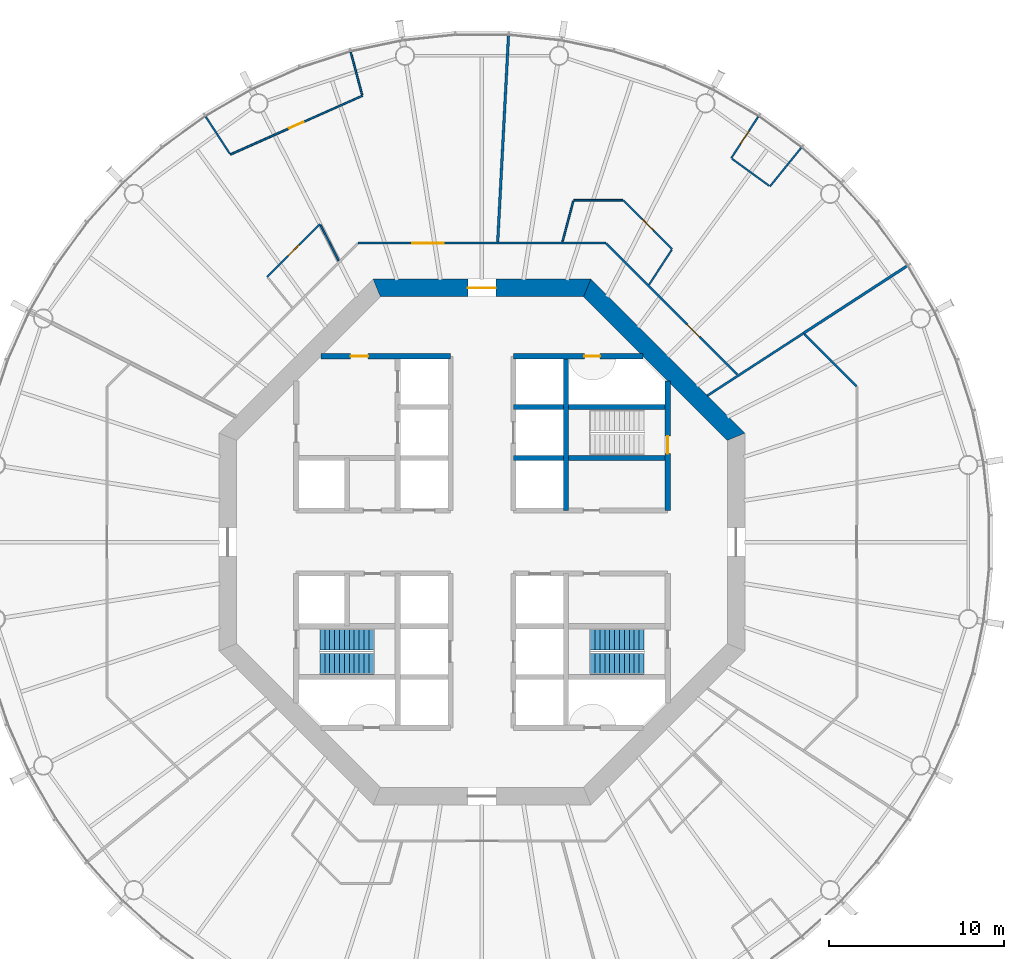
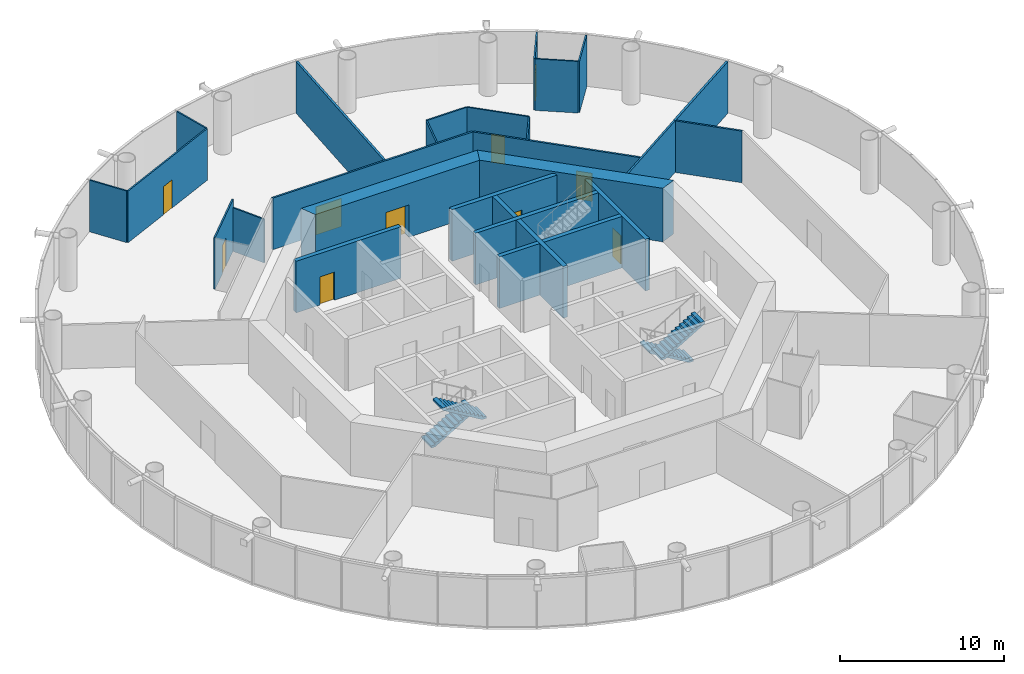
# One storey, part 5 of 17: 26 walls, 10 doors, 4 stair flights, 10 openings, 2 elements without a shape of their own.
"""IFC4 building model written with IfcOpenShell, lengths in metres."""

from ifc_helpers import new_model, si_unit, direction, frame, frame_2d, origin, place, context, subcontext, project, spatial, polyline, rectangle, outline, extrude, material, layer, layer_set, type_object, element, fill, aggregate, save


model = new_model("IFC4")

# Units and contexts
model_context = context("Model", 3, precision=1e-05, world=origin(), true_north=direction((0.0, 1.0)))
body_context = subcontext(model_context, "Body", "Model", "MODEL_VIEW")
ifc_project = project(units=[si_unit("LENGTHUNIT", "METRE"), si_unit("AREAUNIT", "SQUARE_METRE"), si_unit("VOLUMEUNIT", "CUBIC_METRE"), si_unit("PLANEANGLEUNIT", "RADIAN"), si_unit("MASSUNIT", "GRAM", prefix="KILO")], contexts=[model_context])

# Site, building, storey
site_placement = place(None, origin())
site = spatial("IfcSite", under=ifc_project, at=site_placement, CompositionType="ELEMENT")
building_placement = place(site_placement, origin())
building = spatial("IfcBuilding", under=site, at=building_placement, Name="Entoto Ring Tower", CompositionType="ELEMENT")
storey_placement = place(building_placement, frame((0.0, 0.0, 176.0)))
storey = spatial("IfcBuildingStorey", under=building, at=storey_placement, Name="L40", CompositionType="ELEMENT", Elevation=176.0)

# Wall, opening, door
ifc_material_1 = material(Name="Concrete C40/50", Category="concrete")
ifc_layer_1 = layer(ifc_material_1, 0.300048828125)
ifc_layer_set_1 = layer_set([ifc_layer_1], Name="Concrete C40/50")
wall_type_1 = type_object("IfcWallType", Name="Core enclosure wall 300 mm reinforced concrete", PredefinedType="SOLIDWALL", material=ifc_layer_set_1)
wall_1_placement = place(storey_placement, frame((100.60009765625, 81.800048828125, 0.0), z_axis=(0.0, 0.0, 1.0), x_axis=(0.0, 1.0, 0.0)))
wall_1 = element("IfcWall", 1, at=wall_1_placement, inside=storey, type_object=wall_type_1, Name="wall-L40-002", PredefinedType="SOLIDWALL", context=body_context, shape_type="SweptSolid", body=[
    extrude(rectangle(XDim=7.39892578125, YDim=0.300048828125, at=frame_2d((3.699462890625, 0.0))), origin(), (0.0, 0.0, 1.0), 3.85009765625),
])
opening_1_placement = place(wall_1_placement, frame((3.25, 0.0, 0.0)))
opening_1 = element("IfcOpeningElement", 2, at=opening_1_placement, cuts=wall_1, Name="Opening K-52", PredefinedType="OPENING", context=body_context, shape_type="SweptSolid", body=[
    extrude(rectangle(XDim=1.0, YDim=2.10009765625, at=frame_2d((0.5, 1.050048828125))), frame((0.0, 0.16015625, 0.0), z_axis=(0.0, -1.0, 0.0), x_axis=(1.0, 0.0, 0.0)), (0.0, 0.0, 1.0), 0.320068359375),
])
ifc_material_2 = material(Name="Steel door leaf, fire rated", Category="steel")
ifc_layer_2 = layer(ifc_material_2, 0.050048828125)
ifc_layer_set_2 = layer_set([ifc_layer_2], Name="Steel door leaf, fire rated")
door_type_1 = type_object("IfcDoorType", Name="Fire door FD60 1000 x 2100 single leaf", OperationType="NOTDEFINED", PredefinedType="DOOR", material=ifc_layer_set_2)
door_1_placement = place(opening_1_placement, origin())
door_1 = element("IfcDoor", 3, at=door_1_placement, inside=storey, type_object=door_type_1, Name="Door K-52", OperationType="SINGLE_SWING_LEFT", OverallHeight=2.10009765625, OverallWidth=1.0, PredefinedType="DOOR", context=body_context, shape_type="SweptSolid", body=[
    extrude(rectangle(XDim=1.0, YDim=2.10009765625, at=frame_2d((0.5, 1.050048828125))), frame((0.0, 0.02490234375, 0.0), z_axis=(0.0, -1.0, 0.0), x_axis=(1.0, 0.0, 0.0)), (0.0, 0.0, 1.0), 0.050048828125),
])
fill(opening_1, door_1)

# Walls
for number, where, z_axis, x_axis, name in (
    (4, (94.800048828125, 81.800048828125, 0.0), (0.0, 0.0, 1.0), (0.0, 1.0, 0.0), "wall-L40-004"),
    (5, (91.800048828125, 84.800048828125, 0.0), (0.0, 0.0, 1.0), (1.0, 0.0, 0.0), "wall-L40-026"),
    (6, (91.800048828125, 87.699951171875, 0.0), (0.0, 0.0, 1.0), (1.0, 0.0, 0.0), "wall-L40-028"),
):
    element("IfcWall", number, at=place(storey_placement, frame(where, z_axis=z_axis, x_axis=x_axis)), inside=storey, type_object=wall_type_1, Name=name, PredefinedType="SOLIDWALL", context=body_context, shape_type="SweptSolid", body=[
        extrude(rectangle(XDim=8.800048828125, YDim=0.300048828125, at=frame_2d((4.39990234375, 0.0))), origin(), (0.0, 0.0, 1.0), 3.85009765625),
    ])

# Wall, opening, door
wall_2_placement = place(storey_placement, frame((80.801025390625, 90.60009765625, 0.0), z_axis=(0.0, 0.0, 1.0), x_axis=(1.0, 0.0, 0.0)))
wall_2 = element("IfcWall", 7, at=wall_2_placement, inside=storey, type_object=wall_type_1, Name="wall-L40-029", PredefinedType="SOLIDWALL", context=body_context, shape_type="SweptSolid", body=[
    extrude(rectangle(XDim=7.39892578125, YDim=0.300048828125, at=frame_2d((3.699462890625, 0.0))), origin(), (0.0, 0.0, 1.0), 3.85009765625),
])
opening_2_placement = place(wall_2_placement, frame((1.698974609375, 0.0, 0.0)))
opening_2 = element("IfcOpeningElement", 8, at=opening_2_placement, cuts=wall_2, Name="Opening K-22", PredefinedType="OPENING", context=body_context, shape_type="SweptSolid", body=[
    extrude(rectangle(XDim=1.0, YDim=2.10009765625, at=frame_2d((0.5, 1.050048828125))), frame((0.0, 0.16015625, 0.0), z_axis=(0.0, -1.0, 0.0), x_axis=(1.0, 0.0, 0.0)), (0.0, 0.0, 1.0), 0.320068359375),
])
door_2_placement = place(opening_2_placement, frame((1.0, 0.0, 0.0), z_axis=(0.0, 0.0, 1.0), x_axis=(-1.0, 0.0, 0.0)))
door_2 = element("IfcDoor", 9, at=door_2_placement, inside=storey, type_object=door_type_1, Name="Door K-22", OperationType="SINGLE_SWING_LEFT", OverallHeight=2.10009765625, OverallWidth=1.0, PredefinedType="DOOR", context=body_context, shape_type="SweptSolid", body=[
    extrude(rectangle(XDim=1.0, YDim=2.10009765625, at=frame_2d((0.5, 1.050048828125))), frame((0.0, 0.02490234375, 0.0), z_axis=(0.0, -1.0, 0.0), x_axis=(1.0, 0.0, 0.0)), (0.0, 0.0, 1.0), 0.050048828125),
])
fill(opening_2, door_2)

wall_3_placement = place(storey_placement, frame((91.800048828125, 90.60009765625, 0.0), z_axis=(0.0, 0.0, 1.0), x_axis=(1.0, 0.0, 0.0)))
wall_3 = element("IfcWall", 10, at=wall_3_placement, inside=storey, type_object=wall_type_1, Name="wall-L40-030", PredefinedType="SOLIDWALL", context=body_context, shape_type="SweptSolid", body=[
    extrude(rectangle(XDim=7.39892578125, YDim=0.300048828125, at=frame_2d((3.699462890625, 0.0))), origin(), (0.0, 0.0, 1.0), 3.85009765625),
])
opening_3_placement = place(wall_3_placement, frame((4.050048828125, 0.0, 0.0)))
opening_3 = element("IfcOpeningElement", 11, at=opening_3_placement, cuts=wall_3, Name="Opening K-60", PredefinedType="OPENING", context=body_context, shape_type="SweptSolid", body=[
    extrude(rectangle(XDim=0.89990234375, YDim=2.10009765625, at=frame_2d((0.449951171875, 1.050048828125))), frame((0.0, 0.16015625, 0.0), z_axis=(0.0, -1.0, 0.0), x_axis=(1.0, 0.0, 0.0)), (0.0, 0.0, 1.0), 0.320068359375),
])
ifc_material_3 = material(Name="Steel door leaf, fire rated", Category="steel")
ifc_layer_3 = layer(ifc_material_3, 0.050048828125)
ifc_layer_set_3 = layer_set([ifc_layer_3], Name="Steel door leaf, fire rated")
door_type_2 = type_object("IfcDoorType", Name="Riser door FD60 900 x 2100 single leaf", OperationType="NOTDEFINED", PredefinedType="DOOR", material=ifc_layer_set_3)
door_3_placement = place(opening_3_placement, frame((0.89990234375, 0.0, 0.0), z_axis=(0.0, 0.0, 1.0), x_axis=(-1.0, 0.0, 0.0)))
door_3 = element("IfcDoor", 12, at=door_3_placement, inside=storey, type_object=door_type_2, Name="Door K-60", OperationType="SINGLE_SWING_RIGHT", OverallHeight=2.10009765625, OverallWidth=0.89990234375, PredefinedType="DOOR", context=body_context, shape_type="SweptSolid", body=[
    extrude(rectangle(XDim=0.89990234375, YDim=2.10009765625, at=frame_2d((0.449951171875, 1.050048828125))), frame((0.0, 0.02490234375, 0.0), z_axis=(0.0, -1.0, 0.0), x_axis=(1.0, 0.0, 0.0)), (0.0, 0.0, 1.0), 0.050048828125),
])
fill(opening_3, door_3)

# Wall
ifc_material_4 = material(Name="Concrete C50/60", Category="concrete")
ifc_layer_4 = layer(ifc_material_4, 1.0)
ifc_layer_set_4 = layer_set([ifc_layer_4], Name="Concrete C50/60")
wall_type_2 = type_object("IfcWallType", Name="Core shear wall 1000 mm reinforced concrete C50/60", PredefinedType="SHEAR", material=ifc_layer_set_4)
wall_4_placement = place(storey_placement, frame((104.5, 86.006103515625, 0.0), z_axis=(0.0, 0.0, 1.0), x_axis=(-0.707106781187, 0.707106781187, 0.0)))
element("IfcWall", 13, at=wall_4_placement, inside=storey, type_object=wall_type_2, Name="wall-L40-core-1", PredefinedType="SHEAR", context=body_context, shape_type="SweptSolid", body=[
    extrude(outline(polyline([(-0.20703125, -0.5), (12.21923828125, -0.5), (11.80517578125, 0.5), (0.20703125, 0.5), (-0.20703125, -0.5)])), origin(), (0.0, 0.0, 1.0), 4.0),
])

# Wall, opening, door
wall_5_placement = place(storey_placement, frame((96.006103515625, 94.5, 0.0), z_axis=(0.0, 0.0, 1.0), x_axis=(-1.0, 0.0, 0.0)))
wall_5 = element("IfcWall", 14, at=wall_5_placement, inside=storey, type_object=wall_type_2, Name="wall-L40-core-2", PredefinedType="SHEAR", context=body_context, shape_type="SweptSolid", body=[
    extrude(outline(polyline([(-0.20703125, -0.5), (12.21923828125, -0.5), (11.80517578125, 0.5), (0.20703125, 0.5), (-0.20703125, -0.5)])), origin(), (0.0, 0.0, 1.0), 4.0),
])
opening_4_placement = place(wall_5_placement, frame((5.2060546875, 0.0, 0.0)))
opening_4 = element("IfcOpeningElement", 15, at=opening_4_placement, cuts=wall_5, Name="Opening K-02", PredefinedType="OPENING", context=body_context, shape_type="SweptSolid", body=[
    extrude(rectangle(XDim=1.60009765625, YDim=2.39990234375, at=frame_2d((0.800048828125, 1.199951171875))), frame((0.0, 0.510009765625, 0.0), z_axis=(0.0, -1.0, 0.0), x_axis=(1.0, 0.0, 0.0)), (0.0, 0.0, 1.0), 1.02001953125),
])
ifc_material_5 = material(Name="Steel door leaf, fire rated", Category="steel")
ifc_layer_5 = layer(ifc_material_5, 0.050048828125)
ifc_layer_set_5 = layer_set([ifc_layer_5], Name="Steel door leaf, fire rated")
door_type_3 = type_object("IfcDoorType", Name="Entrance door FD60 1600 x 2400 double leaf", OperationType="DOUBLE_DOOR_SINGLE_SWING", PredefinedType="DOOR", material=ifc_layer_set_5)
door_4_placement = place(opening_4_placement, origin())
door_4 = element("IfcDoor", 16, at=door_4_placement, inside=storey, type_object=door_type_3, Name="Entrance door K-02", OperationType="DOUBLE_DOOR_SINGLE_SWING", OverallHeight=2.39990234375, OverallWidth=1.60009765625, PredefinedType="DOOR", context=body_context, shape_type="SweptSolid", body=[
    extrude(rectangle(XDim=1.60009765625, YDim=2.39990234375, at=frame_2d((0.800048828125, 1.199951171875))), frame((0.0, 0.02490234375, 0.0), z_axis=(0.0, -1.0, 0.0), x_axis=(1.0, 0.0, 0.0)), (0.0, 0.0, 1.0), 0.050048828125),
])
fill(opening_4, door_4)

ifc_material_6 = material(Name="Fire-resisting plasterboard on steel studs", Category="steel")
ifc_layer_6 = layer(ifc_material_6, 0.125)
ifc_layer_set_6 = layer_set([ifc_layer_6], Name="Fire-resisting plasterboard on steel studs")
wall_type_3 = type_object("IfcWallType", Name="Corridor wall 125 mm one-hour plasterboard on steel studs", PredefinedType="PARTITIONING", material=ifc_layer_set_6)
wall_6_placement = place(storey_placement, frame((82.9326171875, 97.0625, 0.0), z_axis=(0.0, 0.0, 1.0), x_axis=(1.0, 0.0, 0.0)))
wall_6 = element("IfcWall", 17, at=wall_6_placement, inside=storey, type_object=wall_type_3, Name="partition-L40-004", PredefinedType="PARTITIONING", context=body_context, shape_type="SweptSolid", body=[
    extrude(rectangle(XDim=14.134765625, YDim=0.125, at=frame_2d((7.0673828125, 0.0))), origin(), (0.0, 0.0, 1.0), 3.85009765625),
])
opening_5_placement = place(wall_6_placement, frame((3.080810546875, 0.0, 0.0)))
opening_5 = element("IfcOpeningElement", 18, at=opening_5_placement, cuts=wall_6, Name="Opening A17-D06", PredefinedType="OPENING", context=body_context, shape_type="SweptSolid", body=[
    extrude(rectangle(XDim=1.800048828125, YDim=2.10009765625, at=frame_2d((0.89990234375, 1.050048828125))), frame((0.0, 0.072509765625, 0.0), z_axis=(0.0, -1.0, 0.0), x_axis=(1.0, 0.0, 0.0)), (0.0, 0.0, 1.0), 0.14501953125),
])
ifc_material_7 = material(Name="Fire-resisting timber door set", Category="wood")
door_type_4 = type_object("IfcDoorType", Name="Door 1800 x 2100 double leaf FD30S fire door", OperationType="DOUBLE_DOOR_SINGLE_SWING", PredefinedType="DOOR", material=ifc_material_7)
door_5_placement = place(opening_5_placement, origin())
door_5 = element("IfcDoor", 19, at=door_5_placement, inside=storey, type_object=door_type_4, Name="Door A17-D06", OperationType="DOUBLE_DOOR_SINGLE_SWING", OverallHeight=2.10009765625, OverallWidth=1.800048828125, PredefinedType="DOOR", context=body_context, shape_type="SweptSolid", body=[
    extrude(rectangle(XDim=1.800048828125, YDim=2.10009765625, at=frame_2d((0.89990234375, 1.050048828125))), frame((0.0, 0.02490234375, 0.0), z_axis=(0.0, -1.0, 0.0), x_axis=(1.0, 0.0, 0.0)), (0.0, 0.0, 1.0), 0.050048828125),
])
fill(opening_5, door_5)

wall_7_placement = place(storey_placement, frame((104.574951171875, 89.554931640625, 0.0), z_axis=(0.0, 0.0, 1.0), x_axis=(-0.707095235926, 0.707118326258, 0.0)))
wall_7 = element("IfcWall", 20, at=wall_7_placement, inside=storey, type_object=wall_type_3, Name="partition-L40-007", PredefinedType="PARTITIONING", context=body_context, shape_type="SweptSolid", body=[
    extrude(rectangle(XDim=10.5732421875, YDim=0.125, at=frame_2d((5.28662109375, 0.0))), origin(), (0.0, 0.0, 1.0), 3.85009765625),
])
opening_6_placement = place(wall_7_placement, frame((3.0498046875, 0.0, 0.0)))
opening_6 = element("IfcOpeningElement", 21, at=opening_6_placement, cuts=wall_7, Name="Opening A17-D03", PredefinedType="OPENING", context=body_context, shape_type="SweptSolid", body=[
    extrude(rectangle(XDim=1.0, YDim=2.10009765625, at=frame_2d((0.5, 1.050048828125))), frame((0.0, 0.072509765625, 0.0), z_axis=(0.0, -1.0, 0.0), x_axis=(1.0, 0.0, 0.0)), (0.0, 0.0, 1.0), 0.14501953125),
])
ifc_material_8 = material(Name="Fire-resisting timber door set", Category="wood")
door_type_5 = type_object("IfcDoorType", Name="Door 1000 x 2100 single leaf FD30S fire door", OperationType="NOTDEFINED", PredefinedType="DOOR", material=ifc_material_8)
door_6_placement = place(opening_6_placement, frame((1.0, 0.0, 0.0), z_axis=(0.0, 0.0, 1.0), x_axis=(-1.0, 0.0, 0.0)))
door_6 = element("IfcDoor", 22, at=door_6_placement, inside=storey, type_object=door_type_5, Name="Door A17-D03", OperationType="SINGLE_SWING_LEFT", OverallHeight=2.10009765625, OverallWidth=1.0, PredefinedType="DOOR", context=body_context, shape_type="SweptSolid", body=[
    extrude(rectangle(XDim=1.0, YDim=2.10009765625, at=frame_2d((0.5, 1.050048828125))), frame((0.0, 0.02490234375, 0.0), z_axis=(0.0, -1.0, 0.0), x_axis=(1.0, 0.0, 0.0)), (0.0, 0.0, 1.0), 0.050048828125),
])
fill(opening_6, door_6)

# Walls
wall_8_placement = place(storey_placement, frame((102.861083984375, 88.35205078125, 0.0), z_axis=(0.0, 0.0, 1.0), x_axis=(0.838666042477, 0.544646003561, 0.0)))
element("IfcWall", 23, at=wall_8_placement, inside=storey, type_object=wall_type_3, Name="partition-L40-011", PredefinedType="PARTITIONING", context=body_context, shape_type="SweptSolid", body=[
    extrude(rectangle(XDim=6.543212890625, YDim=0.125, at=frame_2d((3.271484375, 0.0))), origin(), (0.0, 0.0, 1.0), 3.85009765625),
])
wall_9_placement = place(storey_placement, frame((111.368896484375, 88.895263671875, 0.0), z_axis=(0.0, 0.0, 1.0), x_axis=(-0.707106781187, 0.707106781187, 0.0)))
element("IfcWall", 24, at=wall_9_placement, inside=storey, type_object=wall_type_3, Name="partition-L40-015", PredefinedType="PARTITIONING", context=body_context, shape_type="SweptSolid", body=[
    extrude(rectangle(XDim=4.181640625, YDim=0.125, at=frame_2d((2.0908203125, 0.0))), origin(), (0.0, 0.0, 1.0), 3.85009765625),
])

# Wall, opening, door
ifc_material_9 = material(Name="Plasterboard on steel studs", Category="steel")
ifc_layer_7 = layer(ifc_material_9, 0.10009765625)
ifc_layer_set_7 = layer_set([ifc_layer_7], Name="Plasterboard on steel studs")
wall_type_4 = type_object("IfcWallType", Name="Partition 100 mm plasterboard on steel studs", PredefinedType="PARTITIONING", material=ifc_layer_set_7)
wall_10_placement = place(storey_placement, frame((75.637939453125, 102.11572265625, 0.0), z_axis=(0.0, 0.0, 1.0), x_axis=(0.913541661289, 0.40674516972, 0.0)))
wall_10 = element("IfcWall", 25, at=wall_10_placement, inside=storey, type_object=wall_type_4, Name="partition-L40-023", PredefinedType="PARTITIONING", context=body_context, shape_type="SweptSolid", body=[
    extrude(rectangle(XDim=8.250244140625, YDim=0.10009765625, at=frame_2d((4.125, 0.0))), origin(), (0.0, 0.0, 1.0), 3.85009765625),
])
opening_7_placement = place(wall_10_placement, frame((3.67529296875, 0.0, 0.0)))
opening_7 = element("IfcOpeningElement", 26, at=opening_7_placement, cuts=wall_10, Name="Opening A17-D08", PredefinedType="OPENING", context=body_context, shape_type="SweptSolid", body=[
    extrude(rectangle(XDim=0.89990234375, YDim=2.10009765625, at=frame_2d((0.449951171875, 1.050048828125))), frame((0.0, 0.06005859375, 0.0), z_axis=(0.0, -1.0, 0.0), x_axis=(1.0, 0.0, 0.0)), (0.0, 0.0, 1.0), 0.1201171875),
])
ifc_material_10 = material(Name="Veneered timber door leaf in timber frame", Category="wood")
door_type_6 = type_object("IfcDoorType", Name="Door 900 x 2100 single leaf timber veneer", OperationType="NOTDEFINED", PredefinedType="DOOR", material=ifc_material_10)
door_7_placement = place(opening_7_placement, origin())
door_7 = element("IfcDoor", 27, at=door_7_placement, inside=storey, type_object=door_type_6, Name="Door A17-D08", OperationType="SINGLE_SWING_RIGHT", OverallHeight=2.10009765625, OverallWidth=0.89990234375, PredefinedType="DOOR", context=body_context, shape_type="SweptSolid", body=[
    extrude(rectangle(XDim=0.89990234375, YDim=2.10009765625, at=frame_2d((0.449951171875, 1.050048828125))), frame((0.0, 0.02490234375, 0.0), z_axis=(0.0, -1.0, 0.0), x_axis=(1.0, 0.0, 0.0)), (0.0, 0.0, 1.0), 0.050048828125),
])
fill(opening_7, door_7)

wall_11_placement = place(storey_placement, frame((77.7412109375, 95.13818359375, 0.0), z_axis=(0.0, 0.0, 1.0), x_axis=(0.707106781187, 0.707106781187, 0.0)))
wall_11 = element("IfcWall", 28, at=wall_11_placement, inside=storey, type_object=wall_type_4, Name="partition-L40-024", PredefinedType="PARTITIONING", context=body_context, shape_type="SweptSolid", body=[
    extrude(rectangle(XDim=4.258544921875, YDim=0.10009765625, at=frame_2d((2.12939453125, 0.0))), origin(), (0.0, 0.0, 1.0), 3.85009765625),
])
opening_8_placement = place(wall_11_placement, frame((1.67919921875, 0.0, 0.0)))
opening_8 = element("IfcOpeningElement", 29, at=opening_8_placement, cuts=wall_11, Name="Opening A17-D07", PredefinedType="OPENING", context=body_context, shape_type="SweptSolid", body=[
    extrude(rectangle(XDim=0.89990234375, YDim=2.10009765625, at=frame_2d((0.449951171875, 1.050048828125))), frame((0.0, 0.06005859375, 0.0), z_axis=(0.0, -1.0, 0.0), x_axis=(1.0, 0.0, 0.0)), (0.0, 0.0, 1.0), 0.1201171875),
])
door_8_placement = place(opening_8_placement, frame((0.89990234375, 0.0, 0.0), z_axis=(0.0, 0.0, 1.0), x_axis=(-1.0, 0.0, 0.0)))
door_8 = element("IfcDoor", 30, at=door_8_placement, inside=storey, type_object=door_type_6, Name="Door A17-D07", OperationType="SINGLE_SWING_LEFT", OverallHeight=2.10009765625, OverallWidth=0.89990234375, PredefinedType="DOOR", context=body_context, shape_type="SweptSolid", body=[
    extrude(rectangle(XDim=0.89990234375, YDim=2.10009765625, at=frame_2d((0.449951171875, 1.050048828125))), frame((0.0, 0.02490234375, 0.0), z_axis=(0.0, -1.0, 0.0), x_axis=(1.0, 0.0, 0.0)), (0.0, 0.0, 1.0), 0.050048828125),
])
fill(opening_8, door_8)

wall_12_placement = place(storey_placement, frame((100.859130859375, 96.7216796875, 0.0), z_axis=(0.0, 0.0, 1.0), x_axis=(-0.707137819827, 0.707075741184, 0.0)))
wall_12 = element("IfcWall", 31, at=wall_12_placement, inside=storey, type_object=wall_type_4, Name="partition-L40-026", PredefinedType="PARTITIONING", context=body_context, shape_type="SweptSolid", body=[
    extrude(rectangle(XDim=3.932861328125, YDim=0.10009765625, at=frame_2d((1.96630859375, 0.0))), origin(), (0.0, 0.0, 1.0), 3.85009765625),
])
opening_9_placement = place(wall_12_placement, frame((1.516357421875, 0.0, 0.0)))
opening_9 = element("IfcOpeningElement", 32, at=opening_9_placement, cuts=wall_12, Name="Opening A17-D04", PredefinedType="OPENING", context=body_context, shape_type="SweptSolid", body=[
    extrude(rectangle(XDim=0.89990234375, YDim=2.10009765625, at=frame_2d((0.449951171875, 1.050048828125))), frame((0.0, 0.06005859375, 0.0), z_axis=(0.0, -1.0, 0.0), x_axis=(1.0, 0.0, 0.0)), (0.0, 0.0, 1.0), 0.1201171875),
])
door_9_placement = place(opening_9_placement, origin())
door_9 = element("IfcDoor", 33, at=door_9_placement, inside=storey, type_object=door_type_6, Name="Door A17-D04", OperationType="SINGLE_SWING_LEFT", OverallHeight=2.10009765625, OverallWidth=0.89990234375, PredefinedType="DOOR", context=body_context, shape_type="SweptSolid", body=[
    extrude(rectangle(XDim=0.89990234375, YDim=2.10009765625, at=frame_2d((0.449951171875, 1.050048828125))), frame((0.0, 0.02490234375, 0.0), z_axis=(0.0, -1.0, 0.0), x_axis=(1.0, 0.0, 0.0)), (0.0, 0.0, 1.0), 0.050048828125),
])
fill(opening_9, door_9)

# Wall
wall_13_placement = place(storey_placement, frame((95.2255859375, 99.50244140625, 0.0), z_axis=(0.0, 0.0, 1.0), x_axis=(1.0, 0.0, 0.0)))
element("IfcWall", 34, at=wall_13_placement, inside=storey, type_object=wall_type_4, Name="partition-L40-028", PredefinedType="PARTITIONING", context=body_context, shape_type="SweptSolid", body=[
    extrude(rectangle(XDim=2.817626953125, YDim=0.10009765625, at=frame_2d((1.40869140625, 0.0))), origin(), (0.0, 0.0, 1.0), 3.85009765625),
])

# Wall, opening, door
wall_14_placement = place(storey_placement, frame((104.22607421875, 101.906005859375, 0.0), z_axis=(0.0, 0.0, 1.0), x_axis=(0.544650522467, 0.838663107795, 0.0)))
wall_14 = element("IfcWall", 35, at=wall_14_placement, inside=storey, type_object=wall_type_4, Name="partition-L40-030", PredefinedType="PARTITIONING", context=body_context, shape_type="SweptSolid", body=[
    extrude(rectangle(XDim=2.820068359375, YDim=0.10009765625, at=frame_2d((1.41015625, 0.0))), origin(), (0.0, 0.0, 1.0), 3.85009765625),
])
opening_10_placement = place(wall_14_placement, frame((0.9599609375, 0.0, 0.0)))
opening_10 = element("IfcOpeningElement", 36, at=opening_10_placement, cuts=wall_14, Name="Opening A17-D05", PredefinedType="OPENING", context=body_context, shape_type="SweptSolid", body=[
    extrude(rectangle(XDim=0.89990234375, YDim=2.10009765625, at=frame_2d((0.449951171875, 1.050048828125))), frame((0.0, 0.06005859375, 0.0), z_axis=(0.0, -1.0, 0.0), x_axis=(1.0, 0.0, 0.0)), (0.0, 0.0, 1.0), 0.1201171875),
])
door_10_placement = place(opening_10_placement, frame((0.89990234375, 0.0, 0.0), z_axis=(0.0, 0.0, 1.0), x_axis=(-1.0, 0.0, 0.0)))
door_10 = element("IfcDoor", 37, at=door_10_placement, inside=storey, type_object=door_type_6, Name="Door A17-D05", OperationType="SINGLE_SWING_LEFT", OverallHeight=2.10009765625, OverallWidth=0.89990234375, PredefinedType="DOOR", context=body_context, shape_type="SweptSolid", body=[
    extrude(rectangle(XDim=0.89990234375, YDim=2.10009765625, at=frame_2d((0.449951171875, 1.050048828125))), frame((0.0, 0.02490234375, 0.0), z_axis=(0.0, -1.0, 0.0), x_axis=(1.0, 0.0, 0.0)), (0.0, 0.0, 1.0), 0.050048828125),
])
fill(opening_10, door_10)

# Walls
wall_15_placement = place(storey_placement, frame((106.437744140625, 100.299072265625, 0.0), z_axis=(0.0, 0.0, 1.0), x_axis=(0.629340183433, 0.777129933484, 0.0)))
element("IfcWall", 38, at=wall_15_placement, inside=storey, type_object=wall_type_4, Name="partition-L40-031", PredefinedType="PARTITIONING", context=body_context, shape_type="SweptSolid", body=[
    extrude(rectangle(XDim=2.81982421875, YDim=0.10009765625, at=frame_2d((1.409912109375, 0.0))), origin(), (0.0, 0.0, 1.0), 3.85009765625),
])
wall_16_placement = place(storey_placement, frame((106.3974609375, 100.328369140625, 0.0), z_axis=(0.0, 0.0, 1.0), x_axis=(-0.809016541614, 0.587785875463, 0.0)))
element("IfcWall", 39, at=wall_16_placement, inside=storey, type_object=wall_type_4, Name="partition-L40-036", PredefinedType="PARTITIONING", context=body_context, shape_type="SweptSolid", body=[
    extrude(rectangle(XDim=2.63427734375, YDim=0.10009765625, at=frame_2d((1.317138671875, 0.0))), origin(), (0.0, 0.0, 1.0), 3.85009765625),
])
for number, where, z_axis, x_axis, name in (
    (40, (75.611083984375, 102.156982421875, 0.0), (0.0, 0.0, 1.0), (-0.544692145423, 0.838636075252, 0.0), "partition-L40-039"),
    (41, (83.162109375, 105.51904296875, 0.0), (0.0, 0.0, 1.0), (-0.258795794032, 0.965932056095, 0.0), "partition-L40-040"),
):
    element("IfcWall", number, at=place(storey_placement, frame(where, z_axis=z_axis, x_axis=x_axis)), inside=storey, type_object=wall_type_4, Name=name, PredefinedType="PARTITIONING", context=body_context, shape_type="SweptSolid", body=[
        extrude(rectangle(XDim=2.520751953125, YDim=0.10009765625, at=frame_2d((1.26025390625, 0.0))), origin(), (0.0, 0.0, 1.0), 3.85009765625),
    ])
wall_17_placement = place(storey_placement, frame((94.592041015625, 97.1376953125, 0.0), z_axis=(0.0, 0.0, 1.0), x_axis=(0.258776761059, 0.965937155273, 0.0)))
element("IfcWall", 42, at=wall_17_placement, inside=storey, type_object=wall_type_4, Name="partition-L40-041", PredefinedType="PARTITIONING", context=body_context, shape_type="SweptSolid", body=[
    extrude(rectangle(XDim=2.400146484375, YDim=0.10009765625, at=frame_2d((1.2001953125, 0.0))), origin(), (0.0, 0.0, 1.0), 3.85009765625),
])
wall_18_placement = place(storey_placement, frame((99.541015625, 94.69189453125, 0.0), z_axis=(0.0, 0.0, 1.0), x_axis=(0.544633657849, 0.838674059893, 0.0)))
element("IfcWall", 43, at=wall_18_placement, inside=storey, type_object=wall_type_4, Name="partition-L40-043", PredefinedType="PARTITIONING", context=body_context, shape_type="SweptSolid", body=[
    extrude(rectangle(XDim=2.371337890625, YDim=0.10009765625, at=frame_2d((1.185546875, 0.0))), origin(), (0.0, 0.0, 1.0), 3.85009765625),
])
ifc_material_11 = material(Name="Plasterboard on steel studs", Category="steel")
ifc_layer_8 = layer(ifc_material_11, 0.10009765625)
ifc_layer_set_8 = layer_set([ifc_layer_8], Name="Plasterboard on steel studs")
wall_type_5 = type_object("IfcWallType", Name="Partition 100 mm plasterboard on steel studs, 3250 mm high", PredefinedType="PARTITIONING", material=ifc_layer_set_8)
wall_19_placement = place(storey_placement, frame((81.818115234375, 96.05810546875, 0.0), z_axis=(0.0, 0.0, 1.0), x_axis=(-0.454015670572, 0.890993698561, 0.0)))
element("IfcWall", 44, at=wall_19_placement, inside=storey, type_object=wall_type_5, Name="partition-L40-045", PredefinedType="PARTITIONING", context=body_context, shape_type="SweptSolid", body=[
    extrude(rectangle(XDim=2.2783203125, YDim=0.10009765625, at=frame_2d((1.13916015625, 0.0))), origin(), (0.0, 0.0, 1.0), 3.25),
])
ifc_material_12 = material(Name="Fire-resisting acoustic plasterboard on steel studs", Category="steel")
ifc_layer_9 = layer(ifc_material_12, 0.14990234375)
ifc_layer_set_9 = layer_set([ifc_layer_9], Name="Fire-resisting acoustic plasterboard on steel studs")
wall_type_6 = type_object("IfcWallType", Name="Party wall 150 mm one-hour acoustic plasterboard on steel studs", PredefinedType="PARTITIONING", material=ifc_layer_set_9)
wall_20_placement = place(storey_placement, frame((90.897705078125, 97.12890625, 0.0), z_axis=(0.0, 0.0, 1.0), x_axis=(0.052338156275, 0.998629419453, 0.0)))
element("IfcWall", 45, at=wall_20_placement, inside=storey, type_object=wall_type_6, Name="partition-L40-017", PredefinedType="PARTITIONING", context=body_context, shape_type="SweptSolid", body=[
    extrude(rectangle(XDim=11.78759765625, YDim=0.14990234375, at=frame_2d((5.893798828125, 0.0))), origin(), (0.0, 0.0, 1.0), 3.85009765625),
])
wall_21_placement = place(storey_placement, frame((108.35107421875, 91.917236328125, 0.0), z_axis=(0.0, 0.0, 1.0), x_axis=(0.83865216768, 0.544667367891, 0.0)))
element("IfcWall", 46, at=wall_21_placement, inside=storey, type_object=wall_type_6, Name="partition-L40-021", PredefinedType="PARTITIONING", context=body_context, shape_type="SweptSolid", body=[
    extrude(rectangle(XDim=7.058837890625, YDim=0.14990234375, at=frame_2d((3.529296875, 0.0))), origin(), (0.0, 0.0, 1.0), 3.85009765625),
])

# Stair, stair flights
ifc_material_13 = material(Name="Concrete C40/50", Category="concrete")
stair_type = type_object("IfcStairType", Name="Exit stair 1200 mm dog-leg reinforced concrete", PredefinedType="HALF_TURN_STAIR", material=ifc_material_13)
stair_1_placement = place(storey_placement, origin())
stair_1 = element("IfcStair", 47, at=stair_1_placement, inside=storey, type_object=stair_type, Name="Exit stair 2", PredefinedType="HALF_TURN_STAIR")
ifc_material_14 = material(Name="Concrete C40/50", Category="concrete")
stair_flight_type = type_object("IfcStairFlightType", Name="Stair flight 1200 mm reinforced concrete", PredefinedType="STRAIGHT", material=ifc_material_14)
stair_flight_1_placement = place(storey_placement, frame((80.75, 74.449951171875, 0.0), z_axis=(0.0, 0.0, 1.0), x_axis=(1.0, 0.0, 0.0)))
stair_flight_1 = element("IfcStairFlight", 48, at=stair_flight_1_placement, type_object=stair_flight_type, Name="ST2 flight 1", NumberOfRisers=12, NumberOfTreads=11, PredefinedType="STRAIGHT", RiserHeight=0.166666667, TreadLength=0.28, context=body_context, shape_type="SweptSolid", body=[
    extrude(outline(polyline([(0.0, 0.0), (0.0, 0.166748046875), (0.280029296875, 0.166748046875), (0.280029296875, 0.333251953125), (0.56005859375, 0.333251953125), (0.56005859375, 0.5), (0.840087890625, 0.5), (0.840087890625, 0.666748046875), (1.1201171875, 0.666748046875), (1.1201171875, 0.833251953125), (1.39990234375, 0.833251953125), (1.39990234375, 1.0), (1.679931640625, 1.0), (1.679931640625, 1.166748046875), (1.9599609375, 1.166748046875), (1.9599609375, 1.333251953125), (2.239990234375, 1.333251953125), (2.239990234375, 1.5), (2.52001953125, 1.5), (2.52001953125, 1.666748046875), (2.800048828125, 1.666748046875), (2.800048828125, 1.833251953125), (3.080078125, 1.833251953125), (3.080078125, 2.0), (3.080078125, 1.658935546875), (0.29296875, 0.0), (0.0, 0.0)])), frame((0.0, 0.60009765625, 0.0), z_axis=(0.0, -1.0, 0.0), x_axis=(1.0, 0.0, 0.0)), (0.0, 0.0, 1.0), 1.199951171875),
])
stair_flight_2_placement = place(storey_placement, frame((83.830078125, 73.050048828125, 2.0), z_axis=(0.0, 0.0, 1.0), x_axis=(-1.0, 0.0, 0.0)))
stair_flight_2 = element("IfcStairFlight", 49, at=stair_flight_2_placement, type_object=stair_flight_type, Name="ST2 flight 2", NumberOfRisers=12, NumberOfTreads=11, PredefinedType="STRAIGHT", RiserHeight=0.166666667, TreadLength=0.28, context=body_context, shape_type="SweptSolid", body=[
    extrude(outline(polyline([(0.0, 0.0), (0.0, 0.166748046875), (0.280029296875, 0.166748046875), (0.280029296875, 0.333251953125), (0.56005859375, 0.333251953125), (0.56005859375, 0.5), (0.840087890625, 0.5), (0.840087890625, 0.666748046875), (1.1201171875, 0.666748046875), (1.1201171875, 0.833251953125), (1.39990234375, 0.833251953125), (1.39990234375, 1.0), (1.679931640625, 1.0), (1.679931640625, 1.166748046875), (1.9599609375, 1.166748046875), (1.9599609375, 1.333251953125), (2.239990234375, 1.333251953125), (2.239990234375, 1.5), (2.52001953125, 1.5), (2.52001953125, 1.666748046875), (2.800048828125, 1.666748046875), (2.800048828125, 1.833251953125), (3.080078125, 1.833251953125), (3.080078125, 2.0), (3.080078125, 1.658935546875), (0.29296875, 0.0), (0.0, 0.0)])), frame((0.0, 0.60009765625, 0.0), z_axis=(0.0, -1.0, 0.0), x_axis=(1.0, 0.0, 0.0)), (0.0, 0.0, 1.0), 1.199951171875),
])
aggregate(stair_1, [stair_flight_1, stair_flight_2])

stair_2_placement = place(storey_placement, origin())
stair_2 = element("IfcStair", 50, at=stair_2_placement, inside=storey, type_object=stair_type, Name="Exit stair 3", PredefinedType="HALF_TURN_STAIR")
stair_flight_3_placement = place(storey_placement, frame((99.25, 74.449951171875, 0.0), z_axis=(0.0, 0.0, 1.0), x_axis=(-1.0, 0.0, 0.0)))
stair_flight_3 = element("IfcStairFlight", 51, at=stair_flight_3_placement, type_object=stair_flight_type, Name="ST3 flight 1", NumberOfRisers=12, NumberOfTreads=11, PredefinedType="STRAIGHT", RiserHeight=0.166666667, TreadLength=0.28, context=body_context, shape_type="SweptSolid", body=[
    extrude(outline(polyline([(0.0, 0.0), (0.0, 0.166748046875), (0.280029296875, 0.166748046875), (0.280029296875, 0.333251953125), (0.56005859375, 0.333251953125), (0.56005859375, 0.5), (0.840087890625, 0.5), (0.840087890625, 0.666748046875), (1.1201171875, 0.666748046875), (1.1201171875, 0.833251953125), (1.39990234375, 0.833251953125), (1.39990234375, 1.0), (1.679931640625, 1.0), (1.679931640625, 1.166748046875), (1.9599609375, 1.166748046875), (1.9599609375, 1.333251953125), (2.239990234375, 1.333251953125), (2.239990234375, 1.5), (2.52001953125, 1.5), (2.52001953125, 1.666748046875), (2.800048828125, 1.666748046875), (2.800048828125, 1.833251953125), (3.080078125, 1.833251953125), (3.080078125, 2.0), (3.080078125, 1.658935546875), (0.29296875, 0.0), (0.0, 0.0)])), frame((0.0, 0.60009765625, 0.0), z_axis=(0.0, -1.0, 0.0), x_axis=(1.0, 0.0, 0.0)), (0.0, 0.0, 1.0), 1.199951171875),
])
stair_flight_4_placement = place(storey_placement, frame((96.169921875, 73.050048828125, 2.0), z_axis=(0.0, 0.0, 1.0), x_axis=(1.0, 0.0, 0.0)))
stair_flight_4 = element("IfcStairFlight", 52, at=stair_flight_4_placement, type_object=stair_flight_type, Name="ST3 flight 2", NumberOfRisers=12, NumberOfTreads=11, PredefinedType="STRAIGHT", RiserHeight=0.166666667, TreadLength=0.28, context=body_context, shape_type="SweptSolid", body=[
    extrude(outline(polyline([(0.0, 0.0), (0.0, 0.166748046875), (0.280029296875, 0.166748046875), (0.280029296875, 0.333251953125), (0.56005859375, 0.333251953125), (0.56005859375, 0.5), (0.840087890625, 0.5), (0.840087890625, 0.666748046875), (1.1201171875, 0.666748046875), (1.1201171875, 0.833251953125), (1.39990234375, 0.833251953125), (1.39990234375, 1.0), (1.679931640625, 1.0), (1.679931640625, 1.166748046875), (1.9599609375, 1.166748046875), (1.9599609375, 1.333251953125), (2.239990234375, 1.333251953125), (2.239990234375, 1.5), (2.52001953125, 1.5), (2.52001953125, 1.666748046875), (2.800048828125, 1.666748046875), (2.800048828125, 1.833251953125), (3.080078125, 1.833251953125), (3.080078125, 2.0), (3.080078125, 1.658935546875), (0.29296875, 0.0), (0.0, 0.0)])), frame((0.0, 0.60009765625, 0.0), z_axis=(0.0, -1.0, 0.0), x_axis=(1.0, 0.0, 0.0)), (0.0, 0.0, 1.0), 1.199951171875),
])
aggregate(stair_2, [stair_flight_3, stair_flight_4])

save(model, "model.ifc")
